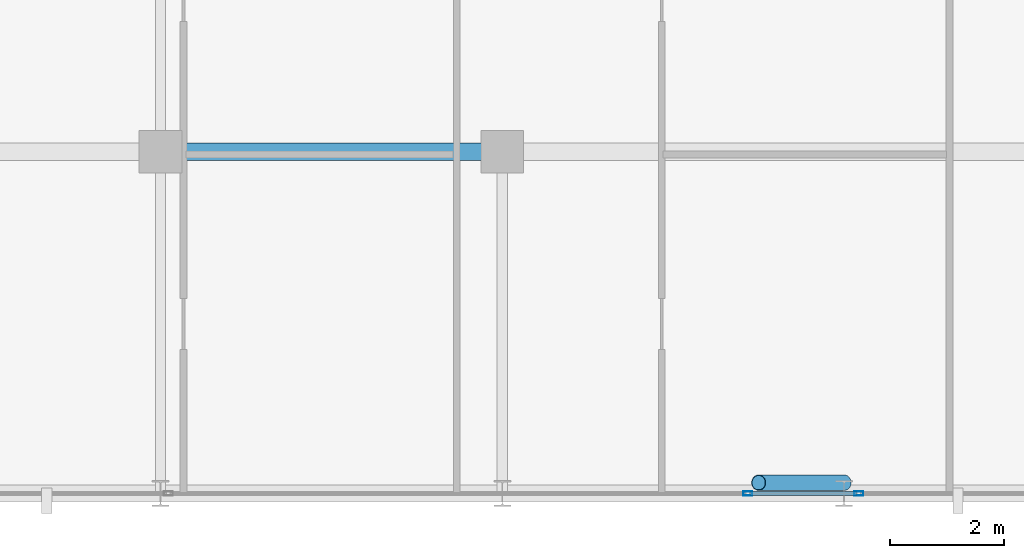
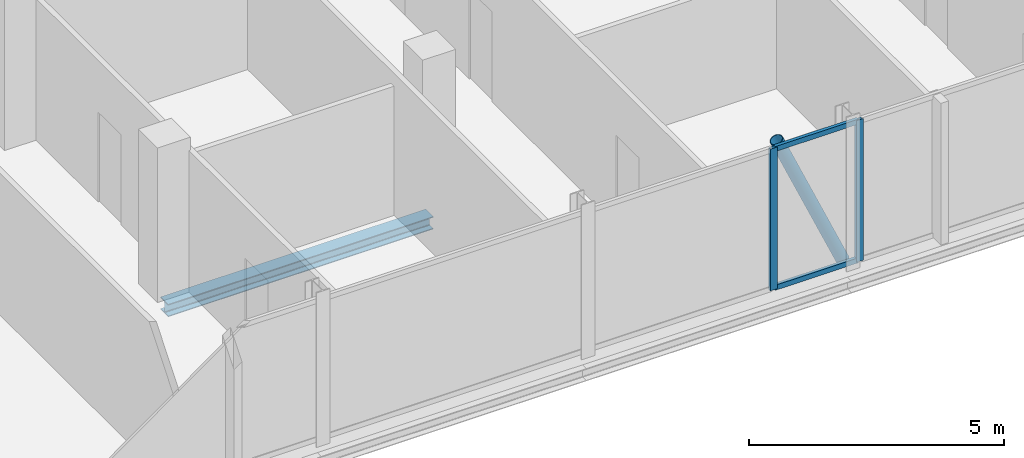
# One storey, part 10 of 29: 5 members, 1 beam, 2 elements without a shape of their own.
"""IFC4 building model written with IfcOpenShell, lengths in metres."""

from ifc_helpers import new_model, si_unit, direction, frame, origin, origin_2d, place, context, subcontext, project, spatial, hollow_rectangle, hollow_circle, i_section, extrude, material, layer, layer_set, material_profile, profile_set, type_object, element, aggregate, save


model = new_model("IFC4")

# Units and contexts
model_context = context("Model", 3, precision=1e-05, world=origin(), true_north=direction((0.0, 1.0)))
body_context = subcontext(model_context, "Body", "Model", "MODEL_VIEW")
ifc_project = project(units=[si_unit("LENGTHUNIT", "METRE"), si_unit("AREAUNIT", "SQUARE_METRE"), si_unit("VOLUMEUNIT", "CUBIC_METRE"), si_unit("PLANEANGLEUNIT", "RADIAN"), si_unit("MASSUNIT", "GRAM", prefix="KILO")], contexts=[model_context])

# Site, building, storey
site_placement = place(None, origin())
site = spatial("IfcSite", under=ifc_project, at=site_placement, CompositionType="ELEMENT")
building_placement = place(site_placement, origin())
building = spatial("IfcBuilding", under=site, at=building_placement, Name="Keshet Zoharim Tower", CompositionType="ELEMENT")
storey_placement = place(building_placement, frame((0.0, 0.0, 226.5)))
storey = spatial("IfcBuildingStorey", under=building, at=storey_placement, Name="L56", CompositionType="ELEMENT", Elevation=226.5)

# Beam
ifc_material_1 = material(Name="Steel S355", Category="steel")
ifc_material_profile_1 = material_profile(ifc_material_1, i_section(OverallWidth=0.300048828125, OverallDepth=0.300048828125, WebThickness=0.010986328125, FlangeThickness=0.01904296875, FilletRadius=0.027099609375, at=origin_2d()), Name="HEB300")
ifc_profile_set_1 = profile_set([ifc_material_profile_1], Name="Steel S355")
beam_type = type_object("IfcBeamType", Name="BM-PRI-HB300", PredefinedType="BEAM", material=ifc_profile_set_1)
beam_placement = place(storey_placement, frame((33.0, 6.699951171875, -0.4599609375), z_axis=(1.0, 0.0, 0.0), x_axis=(0.0, 1.0, 0.0)))
element("IfcBeam", 1, at=beam_placement, inside=storey, type_object=beam_type, Name="L56 Primary Girder X-007", PredefinedType="BEAM", context=body_context, shape_type="SweptSolid", body=[
    extrude(i_section(OverallWidth=0.300048828125, OverallDepth=0.300048828125, WebThickness=0.010986328125, FlangeThickness=0.01904296875, FilletRadius=0.027099609375, at=origin_2d()), origin(), (0.0, 0.0, 1.0), 6.0),
])

# Curtain wall, member
ifc_material_2 = material(Name="Aluminium 6063-T6", Category="aluminium")
ifc_layer = layer(ifc_material_2, 0.139892578125)
ifc_layer_set = layer_set([ifc_layer], Name="Aluminium 6063-T6")
curtain_wall_type = type_object("IfcCurtainWallType", Name="CW-SYS-05", PredefinedType="NOTDEFINED", material=ifc_layer_set)
curtain_wall_1_placement = place(storey_placement, origin())
curtain_wall_1 = element("IfcCurtainWall", 2, at=curtain_wall_1_placement, inside=storey, type_object=curtain_wall_type, Name="L56 Unitised Curtain Wall 06", PredefinedType="NOTDEFINED")
ifc_material_profile_2 = material_profile(ifc_material_2, hollow_rectangle(XDim=0.074951171875, YDim=0.159912109375, WallThickness=0.00390625, at=origin_2d()), Name="MUL-75x160")
ifc_profile_set_2 = profile_set([ifc_material_profile_2], Name="Aluminium 6063-T6")
member_type_1 = type_object("IfcMemberType", Name="CWM-M15", PredefinedType="MULLION", material=ifc_profile_set_2)
member_1_placement = place(storey_placement, frame((45.259765625, 0.699951171875, 0.0), z_axis=(0.0, 0.0, 1.0), x_axis=(0.0, -1.0, 0.0)))
member_1 = element("IfcMember", 3, at=member_1_placement, type_object=member_type_1, Name="CW-05 mullion 2", PredefinedType="MULLION", context=body_context, shape_type="SweptSolid", body=[
    extrude(hollow_rectangle(XDim=0.074951171875, YDim=0.159912109375, WallThickness=0.00390625, at=origin_2d()), origin(), (0.0, 0.0, 1.0), 3.389892578125),
])
aggregate(curtain_wall_1, [member_1])

# Curtain wall, members
curtain_wall_2_placement = place(storey_placement, origin())
curtain_wall_2 = element("IfcCurtainWall", 4, at=curtain_wall_2_placement, inside=storey, type_object=curtain_wall_type, Name="L56 Unitised Curtain Wall 06 Part 2", PredefinedType="NOTDEFINED")
member_2_placement = place(storey_placement, frame((43.310302734375, 0.699951171875, 0.0), z_axis=(0.0, 0.0, 1.0), x_axis=(0.0, -1.0, 0.0)))
member_2 = element("IfcMember", 5, at=member_2_placement, type_object=member_type_1, Name="CW-05 mullion 2", PredefinedType="MULLION", context=body_context, shape_type="SweptSolid", body=[
    extrude(hollow_rectangle(XDim=0.074951171875, YDim=0.159912109375, WallThickness=0.00390625, at=origin_2d()), origin(), (0.0, 0.0, 1.0), 3.389892578125),
])
ifc_material_profile_3 = material_profile(ifc_material_2, hollow_rectangle(XDim=0.074951171875, YDim=0.1201171875, WallThickness=0.00390625, at=origin_2d()), Name="TRN-75x120")
ifc_profile_set_3 = profile_set([ifc_material_profile_3], Name="Aluminium 6063-T6")
member_type_2 = type_object("IfcMemberType", Name="CWT-T12", PredefinedType="USERDEFINED", material=ifc_profile_set_3)
member_3_placement = place(storey_placement, frame((45.224853515625, 0.699951171875, 0.034912109375), z_axis=(-1.0, 0.0, 0.0), x_axis=(0.0, -1.0, 0.0)))
member_3 = element("IfcMember", 6, at=member_3_placement, type_object=member_type_2, Name="CW-05 transom 1.1", ObjectType="TRANSOM", PredefinedType="USERDEFINED", context=body_context, shape_type="SweptSolid", body=[
    extrude(hollow_rectangle(XDim=0.074951171875, YDim=0.1201171875, WallThickness=0.00390625, at=origin_2d()), origin(), (0.0, 0.0, 1.0), 1.879638671875),
])
member_4_placement = place(storey_placement, frame((45.224853515625, 0.699951171875, 3.35498046875), z_axis=(-1.0, 0.0, 0.0), x_axis=(0.0, -1.0, 0.0)))
member_4 = element("IfcMember", 7, at=member_4_placement, type_object=member_type_2, Name="CW-05 transom 1.2", ObjectType="TRANSOM", PredefinedType="USERDEFINED", context=body_context, shape_type="SweptSolid", body=[
    extrude(hollow_rectangle(XDim=0.074951171875, YDim=0.1201171875, WallThickness=0.00390625, at=origin_2d()), origin(), (0.0, 0.0, 1.0), 1.879638671875),
])
aggregate(curtain_wall_2, [member_2, member_3, member_4])

# Member
ifc_material_profile_4 = material_profile(ifc_material_1, hollow_circle(Radius=0.136474609375, WallThickness=0.010009765625, at=origin_2d()), Name="CHS273x10")
ifc_profile_set_4 = profile_set([ifc_material_profile_4], Name="Steel S355")
member_type_3 = type_object("IfcMemberType", Name="MB-BR-C273", PredefinedType="BRACE", material=ifc_profile_set_4)
member_5_placement = place(storey_placement, frame((45.0, 0.889892578125, 0.0), z_axis=(-0.40464689807, 0.0, 0.914473011019), x_axis=(0.0, -1.0, 0.0)))
element("IfcMember", 8, at=member_5_placement, inside=storey, type_object=member_type_3, Name="L56 Perimeter Tube Brace 03", PredefinedType="BRACE", context=body_context, shape_type="SweptSolid", body=[
    extrude(hollow_circle(Radius=0.136474609375, WallThickness=0.010009765625, at=origin_2d()), origin(), (0.0, 0.0, 1.0), 3.70703125),
])

save(model, "model.ifc")
